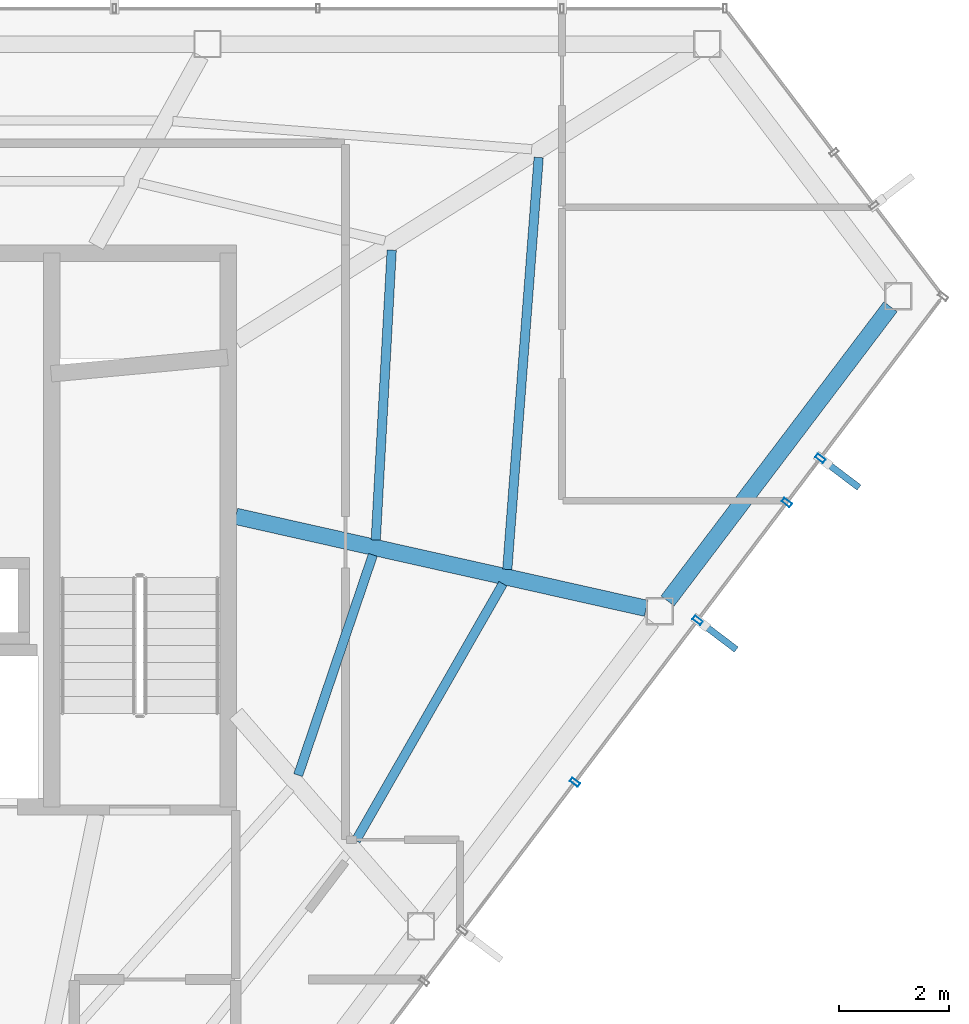
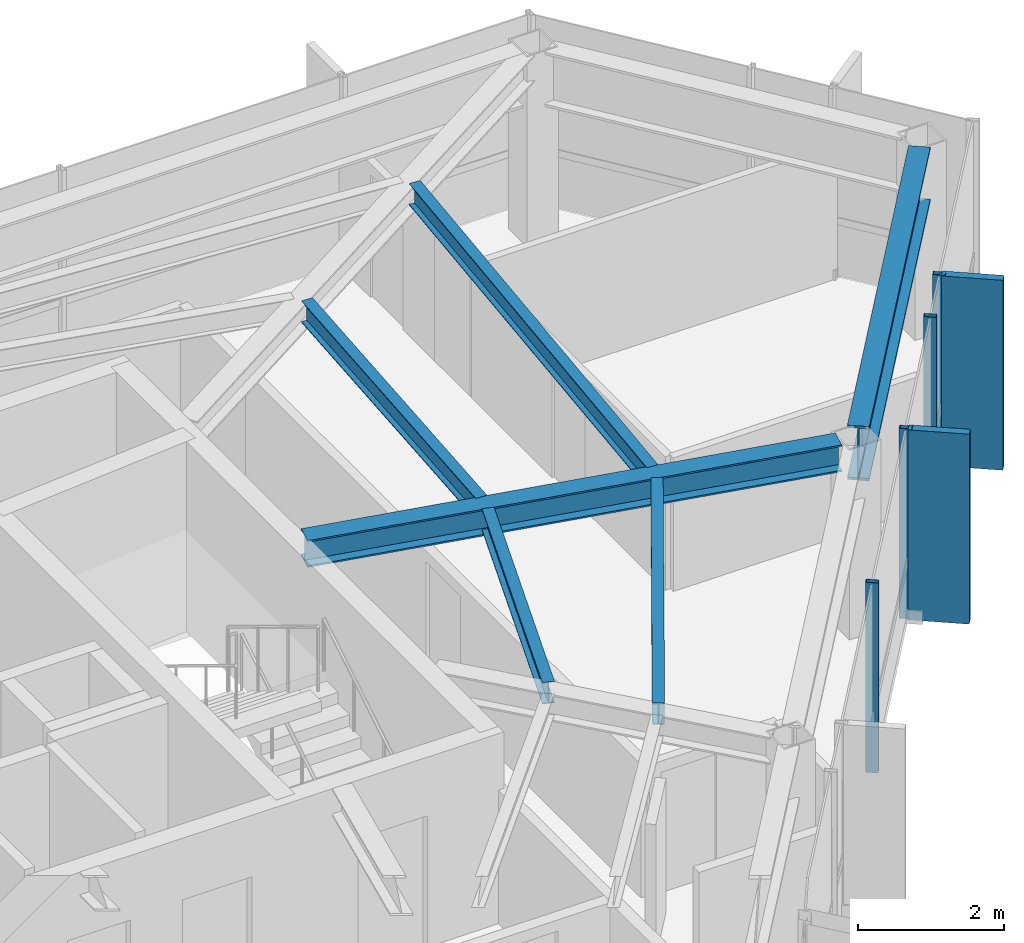
# One storey, part 17 of 25: 6 beams, 6 members, 1 element without a shape of its own.
"""IFC4 building model written with IfcOpenShell, lengths in metres."""

from ifc_helpers import new_model, si_unit, direction, frame, origin, origin_2d, place, context, subcontext, project, spatial, rectangle, hollow_rectangle, i_section, extrude, material, layer, layer_set, material_profile, profile_set, type_object, element, aggregate, save


model = new_model("IFC4")

# Units and contexts
model_context = context("Model", 3, precision=1e-05, world=origin(), true_north=direction((0.0, 1.0)))
body_context = subcontext(model_context, "Body", "Model", "MODEL_VIEW")
ifc_project = project(units=[si_unit("LENGTHUNIT", "METRE"), si_unit("AREAUNIT", "SQUARE_METRE"), si_unit("VOLUMEUNIT", "CUBIC_METRE"), si_unit("PLANEANGLEUNIT", "RADIAN"), si_unit("MASSUNIT", "GRAM", prefix="KILO")], contexts=[model_context])

# Site, building, storey
site_placement = place(None, origin())
site = spatial("IfcSite", under=ifc_project, at=site_placement, CompositionType="ELEMENT")
building_placement = place(site_placement, origin())
building = spatial("IfcBuilding", under=site, at=building_placement, Name="Zarrinselat Tower", CompositionType="ELEMENT")
storey_placement = place(building_placement, frame((0.0, 0.0, 261.800048828125)))
storey = spatial("IfcBuildingStorey", under=building, at=storey_placement, Name="L66", CompositionType="ELEMENT", Elevation=261.800048828125)

# Beams
ifc_material_1 = material(Name="Steel S355J2", Category="steel")
ifc_material_profile_1 = material_profile(ifc_material_1, i_section(OverallWidth=0.300048828125, OverallDepth=0.449951171875, WebThickness=0.013916015625, FlangeThickness=0.02587890625, at=origin_2d()), Name="HEB 450")
ifc_profile_set_1 = profile_set([ifc_material_profile_1], Name="Steel S355J2")
beam_type_1 = type_object("IfcBeamType", Name="BM-HEB450", PredefinedType="BEAM", material=ifc_profile_set_1)
beam_1_placement = place(storey_placement, frame((48.35009765625, 38.60009765625, 2.954833984375), z_axis=(0.97576451848, -0.218823226544, 0.0), x_axis=(0.218823226544, 0.97576451848, 0.0)))
element("IfcBeam", 1, at=beam_1_placement, inside=storey, type_object=beam_type_1, Name="L66 Radial Primary Girder RG14", PredefinedType="BEAM", context=body_context, shape_type="SweptSolid", body=[
    extrude(i_section(OverallWidth=0.300048828125, OverallDepth=0.449951171875, WebThickness=0.013916015625, FlangeThickness=0.02587890625, at=origin_2d()), origin(), (0.0, 0.0, 1.0), 7.673828125),
])
ifc_material_2 = material(Name="Steel S460M", Category="steel")
ifc_material_profile_2 = material_profile(ifc_material_2, i_section(OverallWidth=0.302001953125, OverallDepth=0.909912109375, WebThickness=0.02099609375, FlangeThickness=0.0400390625, at=origin_2d()), Name="HEM 900")
ifc_profile_set_2 = profile_set([ifc_material_profile_2], Name="Steel S460M")
beam_type_2 = type_object("IfcBeamType", Name="BM-HEM900", PredefinedType="BEAM", material=ifc_profile_set_2)
beam_2_placement = place(storey_placement, frame((56.2275390625, 37.055419921875, 2.724853515625), z_axis=(0.603861177265, 0.797089504756, 0.0), x_axis=(-0.797089504756, 0.603861177265, 0.0)))
element("IfcBeam", 2, at=beam_2_placement, inside=storey, type_object=beam_type_2, Name="L66 Perimeter Spandrel Girder SP14", PredefinedType="BEAM", context=body_context, shape_type="SweptSolid", body=[
    extrude(i_section(OverallWidth=0.302001953125, OverallDepth=0.909912109375, WebThickness=0.02099609375, FlangeThickness=0.0400390625, at=origin_2d()), origin(), (0.0, 0.0, 1.0), 6.735595703125),
])
ifc_material_3 = material(Name="Steel S355J2", Category="steel")
ifc_material_profile_3 = material_profile(ifc_material_3, i_section(OverallWidth=0.169921875, OverallDepth=0.360107421875, WebThickness=0.008056640625, FlangeThickness=0.0126953125, at=origin_2d()), Name="IPE 360")
ifc_profile_set_3 = profile_set([ifc_material_profile_3], Name="Steel S355J2")
beam_type_3 = type_object("IfcBeamType", Name="BM-IPE360", PredefinedType="JOIST", material=ifc_profile_set_3)
beam_3_placement = place(storey_placement, frame((50.54052734375, 32.6845703125, 3.0), z_axis=(0.496757302364, 0.867889499042, 0.0), x_axis=(-0.867889499042, 0.496757302364, 0.0)))
element("IfcBeam", 3, at=beam_3_placement, inside=storey, type_object=beam_type_3, Name="L66 Composite Floor Joist 4-1", PredefinedType="JOIST", context=body_context, shape_type="SweptSolid", body=[
    extrude(i_section(OverallWidth=0.169921875, OverallDepth=0.360107421875, WebThickness=0.008056640625, FlangeThickness=0.0126953125, at=origin_2d()), origin(), (0.0, 0.0, 1.0), 5.398681640625),
])
beam_4_placement = place(storey_placement, frame((49.487548828125, 33.877197265625, 3.0), z_axis=(0.321210675183, 0.947007762454, 0.0), x_axis=(-0.947007762454, 0.321210675183, 0.0)))
element("IfcBeam", 4, at=beam_4_placement, inside=storey, type_object=beam_type_3, Name="L66 Composite Floor Joist 4-2", PredefinedType="JOIST", context=body_context, shape_type="SweptSolid", body=[
    extrude(i_section(OverallWidth=0.169921875, OverallDepth=0.360107421875, WebThickness=0.008056640625, FlangeThickness=0.0126953125, at=origin_2d()), origin(), (0.0, 0.0, 1.0), 4.244140625),
])
beam_5_placement = place(storey_placement, frame((53.302734375, 37.63134765625, 3.0), z_axis=(0.076022739161, 0.997106084191, 0.0), x_axis=(-0.997106084191, 0.076022739161, 0.0)))
element("IfcBeam", 5, at=beam_5_placement, inside=storey, type_object=beam_type_3, Name="L66 Composite Floor Joist 5-1", PredefinedType="JOIST", context=body_context, shape_type="SweptSolid", body=[
    extrude(i_section(OverallWidth=0.169921875, OverallDepth=0.360107421875, WebThickness=0.008056640625, FlangeThickness=0.0126953125, at=origin_2d()), origin(), (0.0, 0.0, 1.0), 7.537109375),
])
beam_6_placement = place(storey_placement, frame((50.903564453125, 38.1689453125, 3.0), z_axis=(0.054910795382, 0.998491264133, 0.0), x_axis=(-0.998491264133, 0.054910795382, 0.0)))
element("IfcBeam", 6, at=beam_6_placement, inside=storey, type_object=beam_type_3, Name="L66 Composite Floor Joist 5-2", PredefinedType="JOIST", context=body_context, shape_type="SweptSolid", body=[
    extrude(i_section(OverallWidth=0.169921875, OverallDepth=0.360107421875, WebThickness=0.008056640625, FlangeThickness=0.0126953125, at=origin_2d()), origin(), (0.0, 0.0, 1.0), 5.29541015625),
])

# Curtain wall, members
ifc_material_4 = material(Name="Extruded Aluminium Alloy EN AW-6063 T6", Category="aluminium")
ifc_layer = layer(ifc_material_4, 0.199951171875)
ifc_layer_set = layer_set([ifc_layer], Name="Extruded Aluminium Alloy EN AW-6063 T6")
curtain_wall_type = type_object("IfcCurtainWallType", Name="CWS-BLADE", PredefinedType="NOTDEFINED", material=ifc_layer_set)
curtain_wall_placement = place(storey_placement, origin())
curtain_wall = element("IfcCurtainWall", 7, at=curtain_wall_placement, inside=storey, type_object=curtain_wall_type, Name="L66 Unitised Curtain Wall CW-L66-E05", PredefinedType="NOTDEFINED")
ifc_material_5 = material(Name="Extruded Aluminium Alloy EN AW-6063 T6", Category="aluminium")
ifc_material_profile_4 = material_profile(ifc_material_5, hollow_rectangle(XDim=0.080078125, YDim=0.179931640625, WallThickness=0.0048828125, at=origin_2d()), Name="RHS 180x80x5")
ifc_profile_set_4 = profile_set([ifc_material_profile_4], Name="Extruded Aluminium Alloy EN AW-6063 T6")
member_type_1 = type_object("IfcMemberType", Name="MEM-CW-MUL", PredefinedType="MULLION", material=ifc_profile_set_4)
member_1_placement = place(storey_placement, frame((54.537353515625, 33.747802734375, 0.0), z_axis=(0.0, 0.0, 1.0), x_axis=(0.603859570382, 0.7970907221, 0.0)))
member_1 = element("IfcMember", 8, at=member_1_placement, type_object=member_type_1, Name="CW-L66-E05 Mullion 6", PredefinedType="MULLION", context=body_context, shape_type="SweptSolid", body=[
    extrude(hollow_rectangle(XDim=0.080078125, YDim=0.179931640625, WallThickness=0.0048828125, at=origin_2d()), origin(), (0.0, 0.0, 1.0), 3.179931640625),
])
member_2_placement = place(storey_placement, frame((56.776123046875, 36.703125, 0.0), z_axis=(0.0, 0.0, 1.0), x_axis=(0.603859570382, 0.7970907221, 0.0)))
member_2 = element("IfcMember", 9, at=member_2_placement, type_object=member_type_1, Name="CW-L66-E05 Mullion 7", PredefinedType="MULLION", context=body_context, shape_type="SweptSolid", body=[
    extrude(hollow_rectangle(XDim=0.080078125, YDim=0.179931640625, WallThickness=0.0048828125, at=origin_2d()), origin(), (0.0, 0.0, 1.0), 3.179931640625),
])
member_3_placement = place(storey_placement, frame((58.4033203125, 38.850830078125, 0.0), z_axis=(0.0, 0.0, 1.0), x_axis=(0.603859570382, 0.7970907221, 0.0)))
member_3 = element("IfcMember", 10, at=member_3_placement, type_object=member_type_1, Name="CW-L66-E05 Mullion 8", PredefinedType="MULLION", context=body_context, shape_type="SweptSolid", body=[
    extrude(hollow_rectangle(XDim=0.080078125, YDim=0.179931640625, WallThickness=0.0048828125, at=origin_2d()), origin(), (0.0, 0.0, 1.0), 3.179931640625),
])
member_4_placement = place(storey_placement, frame((59.01513671875, 39.65869140625, 0.0), z_axis=(0.0, 0.0, 1.0), x_axis=(0.603859570382, 0.7970907221, 0.0)))
member_4 = element("IfcMember", 11, at=member_4_placement, type_object=member_type_1, Name="CW-L66-E05 Mullion 9", PredefinedType="MULLION", context=body_context, shape_type="SweptSolid", body=[
    extrude(hollow_rectangle(XDim=0.080078125, YDim=0.179931640625, WallThickness=0.0048828125, at=origin_2d()), origin(), (0.0, 0.0, 1.0), 3.179931640625),
])
ifc_material_6 = material(Name="Honed Cream Travertine Stone", Category="masonry")
ifc_material_profile_5 = material_profile(ifc_material_6, rectangle(XDim=0.1201171875, YDim=0.85009765625, at=origin_2d()), Name="FIN 850x120")
ifc_profile_set_5 = profile_set([ifc_material_profile_5], Name="Honed Cream Travertine Stone")
member_type_2 = type_object("IfcMemberType", Name="MEM-STONE-FIN", PredefinedType="USERDEFINED", material=ifc_profile_set_5)
member_5_placement = place(storey_placement, frame((57.142822265625, 36.42529296875, 0.0), z_axis=(0.0, 0.0, 1.0), x_axis=(-0.603859570382, -0.7970907221, 0.0)))
member_5 = element("IfcMember", 12, at=member_5_placement, type_object=member_type_2, Name="L66 Stone Shading Fin CW-L66-E05-07", ObjectType="FIN", PredefinedType="USERDEFINED", context=body_context, shape_type="SweptSolid", body=[
    extrude(rectangle(XDim=0.1201171875, YDim=0.85009765625, at=origin_2d()), origin(), (0.0, 0.0, 1.0), 3.179931640625),
])
member_6_placement = place(storey_placement, frame((59.3818359375, 39.380859375, 0.0), z_axis=(0.0, 0.0, 1.0), x_axis=(-0.603859570382, -0.7970907221, 0.0)))
member_6 = element("IfcMember", 13, at=member_6_placement, type_object=member_type_2, Name="L66 Stone Shading Fin CW-L66-E05-09", ObjectType="FIN", PredefinedType="USERDEFINED", context=body_context, shape_type="SweptSolid", body=[
    extrude(rectangle(XDim=0.1201171875, YDim=0.85009765625, at=origin_2d()), origin(), (0.0, 0.0, 1.0), 3.179931640625),
])
aggregate(curtain_wall, [member_1, member_2, member_5, member_3, member_4, member_6])

save(model, "model.ifc")
